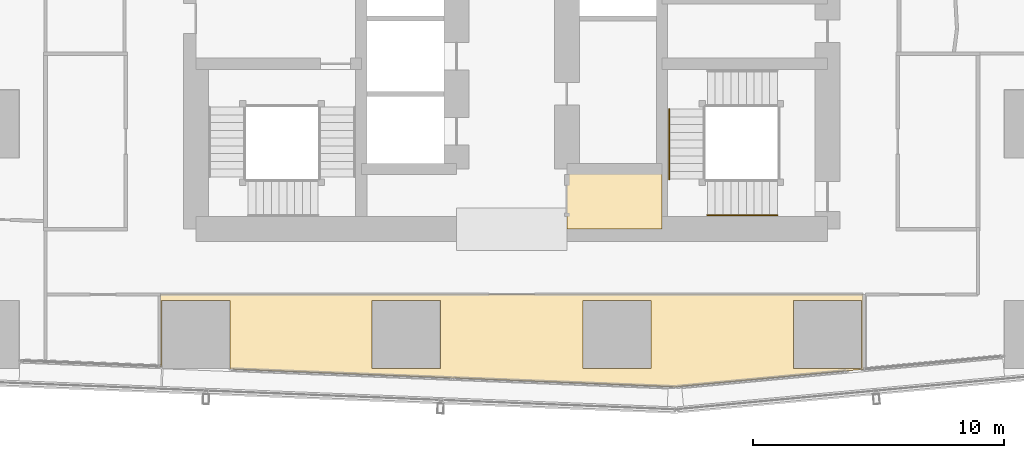
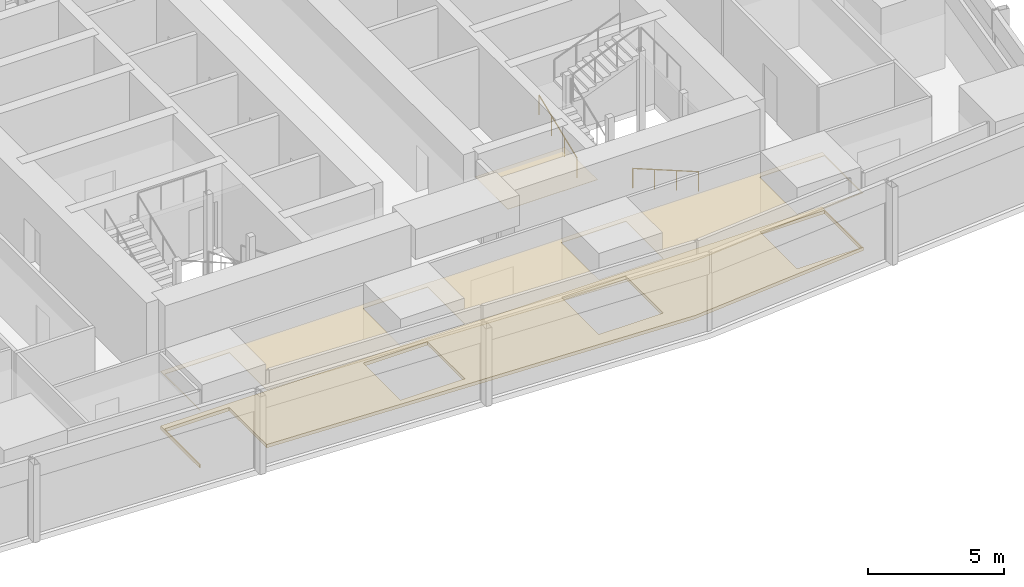
# One storey, part 32 of 36: 3 coverings, 2 railings.
"""IFC4 building model written with IfcOpenShell, lengths in metres."""

from ifc_helpers import new_model, si_unit, direction, frame, origin, origin_2d, place, context, subcontext, project, spatial, polyline, circle, outline, extrude, material, layer, layer_set, type_object, element, save


model = new_model("IFC4")

# Units and contexts
model_context = context("Model", 3, precision=1e-05, world=origin(), true_north=direction((0.0, 1.0)))
body_context = subcontext(model_context, "Body", "Model", "MODEL_VIEW")
ifc_project = project(units=[si_unit("LENGTHUNIT", "METRE"), si_unit("AREAUNIT", "SQUARE_METRE"), si_unit("VOLUMEUNIT", "CUBIC_METRE"), si_unit("PLANEANGLEUNIT", "RADIAN"), si_unit("MASSUNIT", "GRAM", prefix="KILO")], contexts=[model_context])

# Site, building, storey
site_placement = place(None, origin())
site = spatial("IfcSite", under=ifc_project, at=site_placement, CompositionType="ELEMENT")
building_placement = place(site_placement, origin())
building = spatial("IfcBuilding", under=site, at=building_placement, Name="Rekha Terrace Tower", CompositionType="ELEMENT")
storey_placement = place(building_placement, frame((0.0, 0.0, 172.699951171875)))
storey = spatial("IfcBuildingStorey", under=building, at=storey_placement, Name="L43", CompositionType="ELEMENT", Elevation=172.699951171875)

# Coverings
ifc_material_1 = material(Name="Mineral fibre tile in exposed grid", Category="finish")
ifc_layer_1 = layer(ifc_material_1, 0.02001953125)
ifc_layer_set_1 = layer_set([ifc_layer_1], Name="Mineral fibre tile in exposed grid")
covering_type_1 = type_object("IfcCoveringType", Name="CL1 600x1200 office grid ceiling", PredefinedType="CEILING", material=ifc_layer_set_1)
covering_1_placement = place(storey_placement, frame((0.0, 0.0, 2.580078125)))
element("IfcCovering", 1, at=covering_1_placement, inside=storey, type_object=covering_type_1, Name="Ceiling L43-02", PredefinedType="CEILING", context=body_context, shape_type="SweptSolid", body=[
    extrude(outline(polyline([(26.56494140625, 18.1650390625), (26.56494140625, 15.419921875), (26.60205078125, 15.4189453125), (35.202880859375, 15.075927734375), (43.49609375, 14.7451171875), (44.31201171875, 14.7119140625), (51.7919921875, 15.407958984375), (51.81103515625, 15.409912109375), (51.83203125, 15.412109375), (51.8310546875, 15.43505859375), (51.81103515625, 15.43505859375), (51.81103515625, 18.39990234375), (23.79296875, 18.39990234375), (23.79296875, 15.531005859375), (23.8349609375, 15.529052734375), (23.8349609375, 18.1650390625), (26.56494140625, 18.1650390625)]), holes=[polyline([(51.764892578125, 18.1650390625), (51.764892578125, 15.43505859375), (49.034912109375, 15.43505859375), (49.034912109375, 18.1650390625), (51.764892578125, 18.1650390625)]), polyline([(43.364990234375, 18.1650390625), (43.364990234375, 15.43505859375), (40.635009765625, 15.43505859375), (40.635009765625, 18.1650390625), (43.364990234375, 18.1650390625)]), polyline([(34.965087890625, 15.43505859375), (32.235107421875, 15.43505859375), (32.235107421875, 18.1650390625), (34.965087890625, 18.1650390625), (34.965087890625, 15.43505859375)])]), origin(), (0.0, 0.0, 1.0), 0.02001953125),
])
ifc_material_2 = material(Name="Fibre cement board", Category="finish")
ifc_layer_2 = layer(ifc_material_2, 0.014892578125)
ifc_layer_set_2 = layer_set([ifc_layer_2], Name="Fibre cement board")
covering_type_2 = type_object("IfcCoveringType", Name="CL2 moisture-resistant board ceiling", PredefinedType="CEILING", material=ifc_layer_set_2)
covering_2_placement = place(storey_placement, frame((0.0, 0.0, 2.5849609375)))
element("IfcCovering", 2, at=covering_2_placement, inside=storey, type_object=covering_type_2, Name="Ceiling L43-WCA", PredefinedType="CEILING", context=body_context, shape_type="SweptSolid", body=[
    extrude(outline(polyline([(43.800048828125, 23.39990234375), (40.0, 23.39990234375), (40.0, 21.0), (43.800048828125, 21.0), (43.800048828125, 23.39990234375)])), origin(), (0.0, 0.0, 1.0), 0.01513671875),
])

# Railings
ifc_material_3 = material(Name="Stainless steel tube", Category="steel")
railing_type = type_object("IfcRailingType", Name="HR1 900 stair handrail", PredefinedType="HANDRAIL", material=ifc_material_3)
railing_1_placement = place(storey_placement, frame((48.39990234375, 21.56005859375, 0.125)))
element("IfcRailing", 3, at=railing_1_placement, inside=storey, type_object=railing_type, Name="Handrail ST3 L43 flight 1", PredefinedType="HANDRAIL", context=body_context, shape_type="SweptSolid", body=[
    extrude(circle(Radius=0.02392578125, at=origin_2d()), frame((0.0, 0.0, 0.8759765625), z_axis=(-0.927431937212, 0.0, 0.373991980981), x_axis=(0.0, -1.0, 0.0)), (0.0, 0.0, 1.0), 3.008056640625),
    extrude(circle(Radius=0.02099609375, at=origin_2d()), origin(), (0.0, 0.0, 1.0), 0.851806640625),
    extrude(circle(Radius=0.02099609375, at=origin_2d()), frame((-0.929931640625, 0.0, 0.375)), (0.0, 0.0, 1.0), 0.851806640625),
    extrude(circle(Radius=0.02099609375, at=origin_2d()), frame((-1.85986328125, 0.0, 0.75)), (0.0, 0.0, 1.0), 0.851806640625),
    extrude(circle(Radius=0.02099609375, at=origin_2d()), frame((-2.789794921875, 0.0, 1.125)), (0.0, 0.0, 1.0), 0.851806640625),
])
railing_2_placement = place(storey_placement, frame((44.0849609375, 23.0, 1.375)))
element("IfcRailing", 4, at=railing_2_placement, inside=storey, type_object=railing_type, Name="Handrail ST3 L43 flight 2", PredefinedType="HANDRAIL", context=body_context, shape_type="SweptSolid", body=[
    extrude(circle(Radius=0.02392578125, at=origin_2d()), frame((0.0, 0.0, 0.8759765625), z_axis=(0.0, 0.927443287984, 0.373963831907), x_axis=(-1.0, 0.0, 0.0)), (0.0, 0.0, 1.0), 3.00830078125),
    extrude(circle(Radius=0.02099609375, at=origin_2d()), origin(), (0.0, 0.0, 1.0), 0.851806640625),
    extrude(circle(Radius=0.02099609375, at=origin_2d()), frame((0.0, 0.929931640625, 0.375)), (0.0, 0.0, 1.0), 0.851806640625),
    extrude(circle(Radius=0.02099609375, at=origin_2d()), frame((0.0, 1.860107421875, 0.75)), (0.0, 0.0, 1.0), 0.851806640625),
    extrude(circle(Radius=0.02099609375, at=origin_2d()), frame((0.0, 2.7900390625, 1.125)), (0.0, 0.0, 1.0), 0.851806640625),
])

# Covering
ifc_material_4 = material(Name="Calcium sulphate panels on steel pedestals", Category="steel")
ifc_layer_3 = layer(ifc_material_4, 0.14990234375)
ifc_layer_set_3 = layer_set([ifc_layer_3], Name="Calcium sulphate panels on steel pedestals")
covering_type_3 = type_object("IfcCoveringType", Name="RF1 150 raised access floor", PredefinedType="FLOORING", material=ifc_layer_set_3)
covering_3_placement = place(storey_placement, origin())
element("IfcCovering", 5, at=covering_3_placement, inside=storey, type_object=covering_type_3, Name="Raised floor L43-02", PredefinedType="FLOORING", context=body_context, shape_type="SweptSolid", body=[
    extrude(outline(polyline([(26.56494140625, 18.1650390625), (26.56494140625, 15.419921875), (26.60205078125, 15.4189453125), (35.202880859375, 15.075927734375), (43.49609375, 14.7451171875), (44.31201171875, 14.7119140625), (51.7919921875, 15.407958984375), (51.81103515625, 15.409912109375), (51.83203125, 15.412109375), (51.8310546875, 15.43505859375), (51.81103515625, 15.43505859375), (51.81103515625, 18.39990234375), (23.79296875, 18.39990234375), (23.79296875, 15.531005859375), (23.8349609375, 15.529052734375), (23.8349609375, 18.1650390625), (26.56494140625, 18.1650390625)]), holes=[polyline([(51.764892578125, 18.1650390625), (51.764892578125, 15.43505859375), (49.034912109375, 15.43505859375), (49.034912109375, 18.1650390625), (51.764892578125, 18.1650390625)]), polyline([(43.364990234375, 18.1650390625), (43.364990234375, 15.43505859375), (40.635009765625, 15.43505859375), (40.635009765625, 18.1650390625), (43.364990234375, 18.1650390625)]), polyline([(34.965087890625, 15.43505859375), (32.235107421875, 15.43505859375), (32.235107421875, 18.1650390625), (34.965087890625, 18.1650390625), (34.965087890625, 15.43505859375)])]), origin(), (0.0, 0.0, 1.0), 0.150146484375),
])

save(model, "model.ifc")
